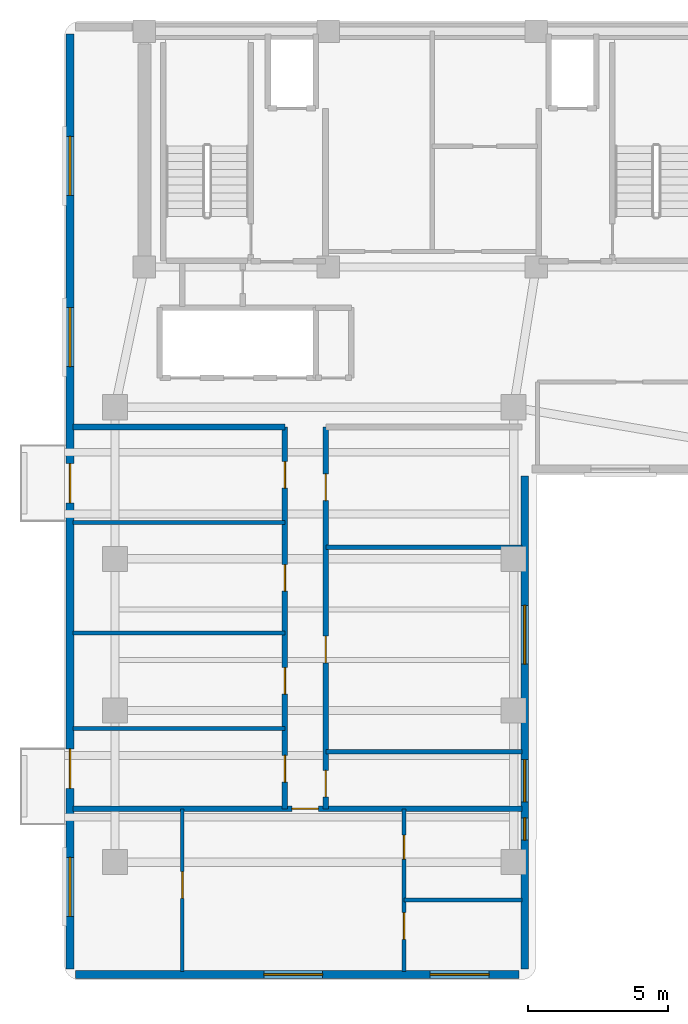
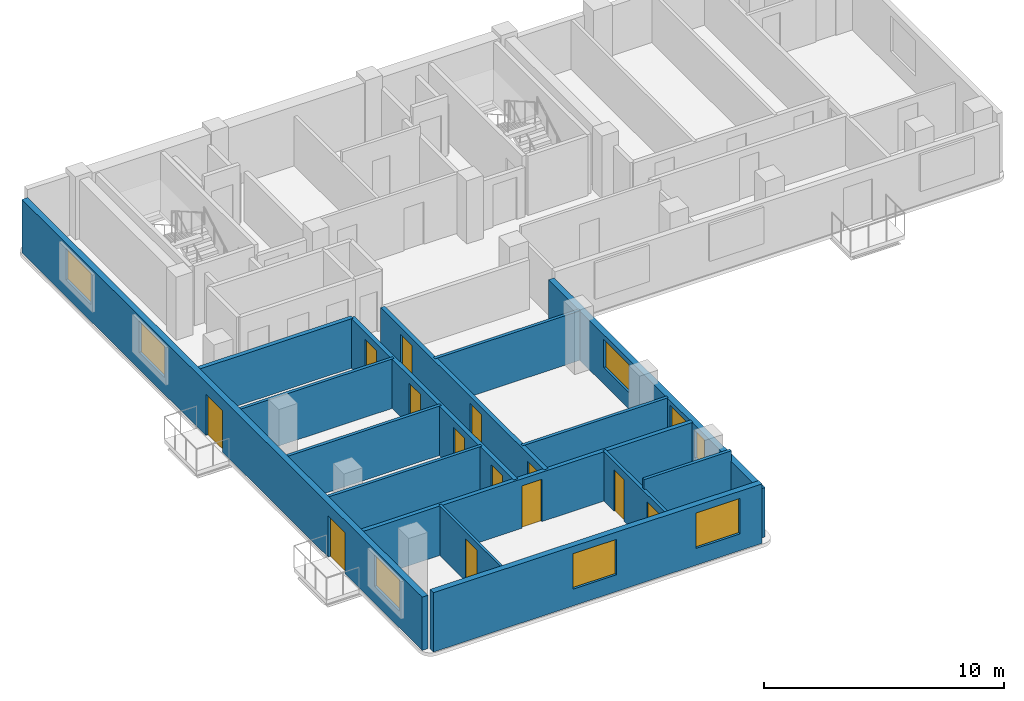
# One storey, part 2 of 7: 15 walls, 13 doors, 8 windows, 21 openings.
"""IFC4 building model written with IfcOpenShell, lengths in metres."""

from ifc_helpers import new_model, si_unit, direction, frame, frame_2d, origin, place, context, subcontext, project, spatial, rectangle, extrude, material, layer, layer_set, type_object, element, fill, save


model = new_model("IFC4")

# Units and contexts
model_context = context("Model", 3, precision=1e-05, world=origin(), true_north=direction((0.0, 1.0)))
body_context = subcontext(model_context, "Body", "Model", "MODEL_VIEW")
ifc_project = project(units=[si_unit("LENGTHUNIT", "METRE"), si_unit("AREAUNIT", "SQUARE_METRE"), si_unit("VOLUMEUNIT", "CUBIC_METRE"), si_unit("PLANEANGLEUNIT", "RADIAN"), si_unit("MASSUNIT", "GRAM", prefix="KILO")], contexts=[model_context])

# Site, building, storey
site_placement = place(None, origin())
site = spatial("IfcSite", under=ifc_project, at=site_placement, CompositionType="ELEMENT")
building_placement = place(site_placement, origin())
building = spatial("IfcBuilding", under=site, at=building_placement, Name="Kuzgunbayir Cultural Tower", CompositionType="ELEMENT")
storey_placement = place(building_placement, frame((0.0, 0.0, 198.39990234375)))
storey = spatial("IfcBuildingStorey", under=building, at=storey_placement, Name="L58", CompositionType="ELEMENT", Elevation=198.39990234375)

# Wall, openings, windows
ifc_material_1 = material(Name="Anatolian Cream Limestone", Category="masonry")
ifc_layer_1 = layer(ifc_material_1, 0.280029296875)
ifc_layer_set_1 = layer_set([ifc_layer_1], Name="Anatolian Cream Limestone")
wall_type_1 = type_object("IfcWallType", Name="WAL-EXT-STONE-280", PredefinedType="STANDARD", material=ifc_layer_set_1)
wall_1_placement = place(storey_placement, frame((4.0, 8.60009765625, 0.0), z_axis=(0.0, 0.0, 1.0), x_axis=(1.0, 0.0, 0.0)))
wall_1 = element("IfcWall", 1, at=wall_1_placement, inside=storey, type_object=wall_type_1, Name="L58 Wing A South Limestone Wall", PredefinedType="STANDARD", context=body_context, shape_type="SweptSolid", body=[
    extrude(rectangle(XDim=15.800048828125, YDim=0.280029296875, at=frame_2d((7.89990234375, 0.0))), origin(), (0.0, 0.0, 1.0), 3.02001953125),
])
opening_1_placement = place(wall_1_placement, frame((6.699951171875, 0.0, 0.85009765625)))
opening_1 = element("IfcOpeningElement", 2, at=opening_1_placement, cuts=wall_1, Name="Opening WR-21", PredefinedType="OPENING", context=body_context, shape_type="SweptSolid", body=[
    extrude(rectangle(XDim=2.10009765625, YDim=1.800048828125, at=frame_2d((1.050048828125, 0.89990234375))), frame((0.0, 0.14990234375, 0.0), z_axis=(0.0, -1.0, 0.0), x_axis=(1.0, 0.0, 0.0)), (0.0, 0.0, 1.0), 0.300048828125),
])
opening_2_placement = place(wall_1_placement, frame((12.6298828125, 0.0, 0.85009765625)))
opening_2 = element("IfcOpeningElement", 3, at=opening_2_placement, cuts=wall_1, Name="Opening WR-21", PredefinedType="OPENING", context=body_context, shape_type="SweptSolid", body=[
    extrude(rectangle(XDim=2.10009765625, YDim=1.800048828125, at=frame_2d((1.050048828125, 0.89990234375))), frame((0.0, 0.14990234375, 0.0), z_axis=(0.0, -1.0, 0.0), x_axis=(1.0, 0.0, 0.0)), (0.0, 0.0, 1.0), 0.300048828125),
])
ifc_material_2 = material(Name="Solar-Control Triple Glazing", Category="glass")
window_type_1 = type_object("IfcWindowType", Name="WIN-RESID-21", PartitioningType="SINGLE_PANEL", PredefinedType="WINDOW", material=ifc_material_2)
window_1_placement = place(opening_1_placement, origin())
window_1 = element("IfcWindow", 4, at=window_1_placement, inside=storey, type_object=window_type_1, Name="L58 WAS Facade Window 2", OverallHeight=1.800048828125, OverallWidth=2.10009765625, PartitioningType="SINGLE_PANEL", PredefinedType="WINDOW", context=body_context, shape_type="SweptSolid", body=[
    extrude(rectangle(XDim=2.10009765625, YDim=1.800048828125, at=frame_2d((1.050048828125, 0.89990234375))), frame((0.0, 0.030029296875, 0.0), z_axis=(0.0, -1.0, 0.0), x_axis=(1.0, 0.0, 0.0)), (0.0, 0.0, 1.0), 0.06005859375),
])
fill(opening_1, window_1)
window_2_placement = place(opening_2_placement, origin())
window_2 = element("IfcWindow", 5, at=window_2_placement, inside=storey, type_object=window_type_1, Name="L58 WAS Facade Window 3", OverallHeight=1.800048828125, OverallWidth=2.10009765625, PartitioningType="SINGLE_PANEL", PredefinedType="WINDOW", context=body_context, shape_type="SweptSolid", body=[
    extrude(rectangle(XDim=2.10009765625, YDim=1.800048828125, at=frame_2d((1.050048828125, 0.89990234375))), frame((0.0, 0.030029296875, 0.0), z_axis=(0.0, -1.0, 0.0), x_axis=(1.0, 0.0, 0.0)), (0.0, 0.0, 1.0), 0.06005859375),
])
fill(opening_2, window_2)

# Wall, openings, doors, windows
wall_2_placement = place(storey_placement, frame((3.800048828125, 42.10009765625, 0.0), z_axis=(0.0, 0.0, 1.0), x_axis=(0.0, -1.0, 0.0)))
wall_2 = element("IfcWall", 6, at=wall_2_placement, inside=storey, type_object=wall_type_1, Name="L58 Wing A West Limestone Wall", PredefinedType="STANDARD", context=body_context, shape_type="SweptSolid", body=[
    extrude(rectangle(XDim=33.300048828125, YDim=0.280029296875, at=frame_2d((16.64990234375, 0.0))), origin(), (0.0, 0.0, 1.0), 2.710205078125),
])
opening_3_placement = place(wall_2_placement, frame((25.469970703125, 0.0, 0.0)))
opening_3 = element("IfcOpeningElement", 7, at=opening_3_placement, cuts=wall_2, Name="Opening BD-15", PredefinedType="OPENING", context=body_context, shape_type="SweptSolid", body=[
    extrude(rectangle(XDim=1.39990234375, YDim=2.10009765625, at=frame_2d((0.699951171875, 1.050048828125))), frame((0.0, 0.14990234375, 0.0), z_axis=(0.0, -1.0, 0.0), x_axis=(1.0, 0.0, 0.0)), (0.0, 0.0, 1.0), 0.300048828125),
])
opening_4_placement = place(wall_2_placement, frame((15.300048828125, 0.0, 0.0)))
opening_4 = element("IfcOpeningElement", 8, at=opening_4_placement, cuts=wall_2, Name="Opening BD-15", PredefinedType="OPENING", context=body_context, shape_type="SweptSolid", body=[
    extrude(rectangle(XDim=1.39990234375, YDim=2.10009765625, at=frame_2d((0.699951171875, 1.050048828125))), frame((0.0, 0.14990234375, 0.0), z_axis=(0.0, -1.0, 0.0), x_axis=(1.0, 0.0, 0.0)), (0.0, 0.0, 1.0), 0.300048828125),
])
opening_5_placement = place(wall_2_placement, frame((29.330078125, 0.0, 0.85009765625)))
opening_5 = element("IfcOpeningElement", 9, at=opening_5_placement, cuts=wall_2, Name="Opening WR-21", PredefinedType="OPENING", context=body_context, shape_type="SweptSolid", body=[
    extrude(rectangle(XDim=2.10009765625, YDim=1.610107421875, at=frame_2d((1.050048828125, 0.80517578125))), frame((0.0, 0.14990234375, 0.0), z_axis=(0.0, -1.0, 0.0), x_axis=(1.0, 0.0, 0.0)), (0.0, 0.0, 1.0), 0.300048828125),
])
opening_6_placement = place(wall_2_placement, frame((9.75, 0.0, 0.85009765625)))
opening_6 = element("IfcOpeningElement", 10, at=opening_6_placement, cuts=wall_2, Name="Opening WR-21", PredefinedType="OPENING", context=body_context, shape_type="SweptSolid", body=[
    extrude(rectangle(XDim=2.10009765625, YDim=1.610107421875, at=frame_2d((1.050048828125, 0.80517578125))), frame((0.0, 0.14990234375, 0.0), z_axis=(0.0, -1.0, 0.0), x_axis=(1.0, 0.0, 0.0)), (0.0, 0.0, 1.0), 0.300048828125),
])
opening_7_placement = place(wall_2_placement, frame((3.64990234375, 0.0, 0.85009765625)))
opening_7 = element("IfcOpeningElement", 11, at=opening_7_placement, cuts=wall_2, Name="Opening WR-21", PredefinedType="OPENING", context=body_context, shape_type="SweptSolid", body=[
    extrude(rectangle(XDim=2.10009765625, YDim=1.610107421875, at=frame_2d((1.050048828125, 0.80517578125))), frame((0.0, 0.14990234375, 0.0), z_axis=(0.0, -1.0, 0.0), x_axis=(1.0, 0.0, 0.0)), (0.0, 0.0, 1.0), 0.300048828125),
])
ifc_material_3 = material(Name="Thermally Broken Glazed Aluminium", Category="aluminium")
door_type_1 = type_object("IfcDoorType", Name="DR-BALCONY-150", OperationType="SLIDING_TO_RIGHT", PredefinedType="DOOR", material=ifc_material_3)
door_1_placement = place(opening_3_placement, origin())
door_1 = element("IfcDoor", 12, at=door_1_placement, inside=storey, type_object=door_type_1, Name="L58 West Balcony Sliding Door BAL-L58-WA1", OperationType="SLIDING_TO_RIGHT", OverallHeight=2.10009765625, OverallWidth=1.39990234375, PredefinedType="DOOR", context=body_context, shape_type="SweptSolid", body=[
    extrude(rectangle(XDim=1.39990234375, YDim=2.10009765625, at=frame_2d((0.699951171875, 1.050048828125))), frame((0.0, 0.02490234375, 0.0), z_axis=(0.0, -1.0, 0.0), x_axis=(1.0, 0.0, 0.0)), (0.0, 0.0, 1.0), 0.050048828125),
])
fill(opening_3, door_1)
door_2_placement = place(opening_4_placement, origin())
door_2 = element("IfcDoor", 13, at=door_2_placement, inside=storey, type_object=door_type_1, Name="L58 West Balcony Sliding Door BAL-L58-WA3", OperationType="SLIDING_TO_RIGHT", OverallHeight=2.10009765625, OverallWidth=1.39990234375, PredefinedType="DOOR", context=body_context, shape_type="SweptSolid", body=[
    extrude(rectangle(XDim=1.39990234375, YDim=2.10009765625, at=frame_2d((0.699951171875, 1.050048828125))), frame((0.0, 0.02490234375, 0.0), z_axis=(0.0, -1.0, 0.0), x_axis=(1.0, 0.0, 0.0)), (0.0, 0.0, 1.0), 0.050048828125),
])
fill(opening_4, door_2)
window_3_placement = place(opening_5_placement, origin())
window_3 = element("IfcWindow", 14, at=window_3_placement, inside=storey, type_object=window_type_1, Name="L58 WAW Facade Window 1", OverallHeight=1.610107421875, OverallWidth=2.10009765625, PartitioningType="SINGLE_PANEL", PredefinedType="WINDOW", context=body_context, shape_type="SweptSolid", body=[
    extrude(rectangle(XDim=2.10009765625, YDim=1.610107421875, at=frame_2d((1.050048828125, 0.80517578125))), frame((0.0, 0.030029296875, 0.0), z_axis=(0.0, -1.0, 0.0), x_axis=(1.0, 0.0, 0.0)), (0.0, 0.0, 1.0), 0.06005859375),
])
fill(opening_5, window_3)
window_4_placement = place(opening_6_placement, origin())
window_4 = element("IfcWindow", 15, at=window_4_placement, inside=storey, type_object=window_type_1, Name="L58 WAW Facade Window 9", OverallHeight=1.610107421875, OverallWidth=2.10009765625, PartitioningType="SINGLE_PANEL", PredefinedType="WINDOW", context=body_context, shape_type="SweptSolid", body=[
    extrude(rectangle(XDim=2.10009765625, YDim=1.610107421875, at=frame_2d((1.050048828125, 0.80517578125))), frame((0.0, 0.030029296875, 0.0), z_axis=(0.0, -1.0, 0.0), x_axis=(1.0, 0.0, 0.0)), (0.0, 0.0, 1.0), 0.06005859375),
])
fill(opening_6, window_4)
window_5_placement = place(opening_7_placement, origin())
window_5 = element("IfcWindow", 16, at=window_5_placement, inside=storey, type_object=window_type_1, Name="L58 WAW Facade Window 10", OverallHeight=1.610107421875, OverallWidth=2.10009765625, PartitioningType="SINGLE_PANEL", PredefinedType="WINDOW", context=body_context, shape_type="SweptSolid", body=[
    extrude(rectangle(XDim=2.10009765625, YDim=1.610107421875, at=frame_2d((1.050048828125, 0.80517578125))), frame((0.0, 0.030029296875, 0.0), z_axis=(0.0, -1.0, 0.0), x_axis=(1.0, 0.0, 0.0)), (0.0, 0.0, 1.0), 0.06005859375),
])
fill(opening_7, window_5)

# Wall, openings, windows
wall_3_placement = place(storey_placement, frame((20.0, 8.800048828125, 0.0), z_axis=(0.0, 0.0, 1.0), x_axis=(0.0, 1.0, 0.0)))
wall_3 = element("IfcWall", 17, at=wall_3_placement, inside=storey, type_object=wall_type_1, Name="L58 Wing A East Limestone Wall", PredefinedType="STANDARD", context=body_context, shape_type="SweptSolid", body=[
    extrude(rectangle(XDim=17.550048828125, YDim=0.280029296875, at=frame_2d((8.77490234375, 0.0))), origin(), (0.0, 0.0, 1.0), 2.510009765625),
])
opening_8_placement = place(wall_3_placement, frame((4.580078125, 0.0, 0.85009765625)))
opening_8 = element("IfcOpeningElement", 18, at=opening_8_placement, cuts=wall_3, Name="Opening WN-08", PredefinedType="OPENING", context=body_context, shape_type="SweptSolid", body=[
    extrude(rectangle(XDim=0.800048828125, YDim=1.409912109375, at=frame_2d((0.39990234375, 0.705078125))), frame((0.0, 0.14990234375, 0.0), z_axis=(0.0, -1.0, 0.0), x_axis=(1.0, 0.0, 0.0)), (0.0, 0.0, 1.0), 0.300048828125),
])
opening_9_placement = place(wall_3_placement, frame((5.949951171875, 0.0, 0.85009765625)))
opening_9 = element("IfcOpeningElement", 19, at=opening_9_placement, cuts=wall_3, Name="Opening WR-15", PredefinedType="OPENING", context=body_context, shape_type="SweptSolid", body=[
    extrude(rectangle(XDim=1.5, YDim=1.409912109375, at=frame_2d((0.75, 0.705078125))), frame((0.0, 0.14990234375, 0.0), z_axis=(0.0, -1.0, 0.0), x_axis=(1.0, 0.0, 0.0)), (0.0, 0.0, 1.0), 0.300048828125),
])
opening_10_placement = place(wall_3_placement, frame((10.85009765625, 0.0, 0.85009765625)))
opening_10 = element("IfcOpeningElement", 20, at=opening_10_placement, cuts=wall_3, Name="Opening WR-21", PredefinedType="OPENING", context=body_context, shape_type="SweptSolid", body=[
    extrude(rectangle(XDim=2.10009765625, YDim=1.409912109375, at=frame_2d((1.050048828125, 0.705078125))), frame((0.0, 0.14990234375, 0.0), z_axis=(0.0, -1.0, 0.0), x_axis=(1.0, 0.0, 0.0)), (0.0, 0.0, 1.0), 0.300048828125),
])
window_type_2 = type_object("IfcWindowType", Name="WIN-NARROW-80", PartitioningType="SINGLE_PANEL", PredefinedType="WINDOW", material=ifc_material_2)
window_6_placement = place(opening_8_placement, origin())
window_6 = element("IfcWindow", 21, at=window_6_placement, inside=storey, type_object=window_type_2, Name="L58 WAE Facade Window 4", OverallHeight=1.409912109375, OverallWidth=0.800048828125, PartitioningType="SINGLE_PANEL", PredefinedType="WINDOW", context=body_context, shape_type="SweptSolid", body=[
    extrude(rectangle(XDim=0.800048828125, YDim=1.409912109375, at=frame_2d((0.39990234375, 0.705078125))), frame((0.0, 0.030029296875, 0.0), z_axis=(0.0, -1.0, 0.0), x_axis=(1.0, 0.0, 0.0)), (0.0, 0.0, 1.0), 0.06005859375),
])
fill(opening_8, window_6)
window_type_3 = type_object("IfcWindowType", Name="WIN-RESID-15", PartitioningType="SINGLE_PANEL", PredefinedType="WINDOW", material=ifc_material_2)
window_7_placement = place(opening_9_placement, origin())
window_7 = element("IfcWindow", 22, at=window_7_placement, inside=storey, type_object=window_type_3, Name="L58 WAE Facade Window 11", OverallHeight=1.409912109375, OverallWidth=1.5, PartitioningType="SINGLE_PANEL", PredefinedType="WINDOW", context=body_context, shape_type="SweptSolid", body=[
    extrude(rectangle(XDim=1.5, YDim=1.409912109375, at=frame_2d((0.75, 0.705078125))), frame((0.0, 0.030029296875, 0.0), z_axis=(0.0, -1.0, 0.0), x_axis=(1.0, 0.0, 0.0)), (0.0, 0.0, 1.0), 0.06005859375),
])
fill(opening_9, window_7)
window_8_placement = place(opening_10_placement, origin())
window_8 = element("IfcWindow", 23, at=window_8_placement, inside=storey, type_object=window_type_1, Name="L58 WAE Facade Window 12", OverallHeight=1.409912109375, OverallWidth=2.10009765625, PartitioningType="SINGLE_PANEL", PredefinedType="WINDOW", context=body_context, shape_type="SweptSolid", body=[
    extrude(rectangle(XDim=2.10009765625, YDim=1.409912109375, at=frame_2d((1.050048828125, 0.705078125))), frame((0.0, 0.030029296875, 0.0), z_axis=(0.0, -1.0, 0.0), x_axis=(1.0, 0.0, 0.0)), (0.0, 0.0, 1.0), 0.06005859375),
])
fill(opening_10, window_8)

# Walls
ifc_material_4 = material(Name="Acoustic Double-Stud Drywall", Category="gypsum")
ifc_layer_2 = layer(ifc_material_4, 0.14990234375)
ifc_layer_set_2 = layer_set([ifc_layer_2], Name="Acoustic Double-Stud Drywall")
wall_type_2 = type_object("IfcWallType", Name="WAL-PART-ACOUSTIC-150", PredefinedType="PARTITIONING", material=ifc_layer_set_2)
for number, where, z_axis, x_axis, name in (
    (24, (3.89990234375, 17.360107421875, 0.0), (0.0, 0.0, 1.0), (1.0, 0.0, 0.0), "L58 West Study Partition 1"),
    (25, (3.89990234375, 20.760009765625, 0.0), (0.0, 0.0, 1.0), (1.0, 0.0, 0.0), "L58 West Study Partition 2"),
    (26, (3.89990234375, 24.699951171875, 0.0), (0.0, 0.0, 1.0), (1.0, 0.0, 0.0), "L58 West Study Partition 3"),
):
    element("IfcWall", number, at=place(storey_placement, frame(where, z_axis=z_axis, x_axis=x_axis)), inside=storey, type_object=wall_type_2, Name=name, PredefinedType="PARTITIONING", context=body_context, shape_type="SweptSolid", body=[
        extrude(rectangle(XDim=7.550048828125, YDim=0.14990234375, at=frame_2d((3.77490234375, 0.0))), origin(), (0.0, 0.0, 1.0), 2.510009765625),
    ])
wall_4_placement = place(storey_placement, frame((12.909912109375, 23.820068359375, 0.0), z_axis=(0.0, 0.0, 1.0), x_axis=(1.0, 0.0, 0.0)))
element("IfcWall", 27, at=wall_4_placement, inside=storey, type_object=wall_type_2, Name="L58 East Divider 1", PredefinedType="PARTITIONING", context=body_context, shape_type="SweptSolid", body=[
    extrude(rectangle(XDim=6.989990234375, YDim=0.14990234375, at=frame_2d((3.4951171875, 0.0))), origin(), (0.0, 0.0, 1.0), 2.510009765625),
])

# Wall, openings, doors
ifc_material_5 = material(Name="Aerated Concrete Blockwork", Category="masonry")
ifc_layer_3 = layer(ifc_material_5, 0.199951171875)
ifc_layer_set_3 = layer_set([ifc_layer_3], Name="Aerated Concrete Blockwork")
wall_type_3 = type_object("IfcWallType", Name="WAL-PART-FIRE-200", PredefinedType="PARTITIONING", material=ifc_layer_set_3)
wall_5_placement = place(storey_placement, frame((11.449951171875, 14.5, 0.0), z_axis=(0.0, 0.0, 1.0), x_axis=(0.0, 1.0, 0.0)))
wall_5 = element("IfcWall", 28, at=wall_5_placement, inside=storey, type_object=wall_type_3, Name="L58 Wing A West Corridor Wall", PredefinedType="PARTITIONING", context=body_context, shape_type="SweptSolid", body=[
    extrude(rectangle(XDim=13.60009765625, YDim=0.199951171875, at=frame_2d((6.800048828125, 0.0))), origin(), (0.0, 0.0, 1.0), 2.510009765625),
])
opening_11_placement = place(wall_5_placement, frame((0.949951171875, 0.0, 0.0)))
opening_11 = element("IfcOpeningElement", 29, at=opening_11_placement, cuts=wall_5, Name="Opening DI-90", PredefinedType="OPENING", context=body_context, shape_type="SweptSolid", body=[
    extrude(rectangle(XDim=0.949951171875, YDim=2.14990234375, at=frame_2d((0.47509765625, 1.074951171875))), frame((0.0, 0.10986328125, 0.0), z_axis=(0.0, -1.0, 0.0), x_axis=(1.0, 0.0, 0.0)), (0.0, 0.0, 1.0), 0.219970703125),
])
opening_12_placement = place(wall_5_placement, frame((4.080078125, 0.0, 0.0)))
opening_12 = element("IfcOpeningElement", 30, at=opening_12_placement, cuts=wall_5, Name="Opening DI-90", PredefinedType="OPENING", context=body_context, shape_type="SweptSolid", body=[
    extrude(rectangle(XDim=0.949951171875, YDim=2.14990234375, at=frame_2d((0.47509765625, 1.074951171875))), frame((0.0, 0.10986328125, 0.0), z_axis=(0.0, -1.0, 0.0), x_axis=(1.0, 0.0, 0.0)), (0.0, 0.0, 1.0), 0.219970703125),
])
opening_13_placement = place(wall_5_placement, frame((7.75, 0.0, 0.0)))
opening_13 = element("IfcOpeningElement", 31, at=opening_13_placement, cuts=wall_5, Name="Opening DI-90", PredefinedType="OPENING", context=body_context, shape_type="SweptSolid", body=[
    extrude(rectangle(XDim=0.949951171875, YDim=2.14990234375, at=frame_2d((0.47509765625, 1.074951171875))), frame((0.0, 0.10986328125, 0.0), z_axis=(0.0, -1.0, 0.0), x_axis=(1.0, 0.0, 0.0)), (0.0, 0.0, 1.0), 0.219970703125),
])
opening_14_placement = place(wall_5_placement, frame((11.419921875, 0.0, 0.0)))
opening_14 = element("IfcOpeningElement", 32, at=opening_14_placement, cuts=wall_5, Name="Opening DI-90", PredefinedType="OPENING", context=body_context, shape_type="SweptSolid", body=[
    extrude(rectangle(XDim=0.949951171875, YDim=2.14990234375, at=frame_2d((0.47509765625, 1.074951171875))), frame((0.0, 0.10986328125, 0.0), z_axis=(0.0, -1.0, 0.0), x_axis=(1.0, 0.0, 0.0)), (0.0, 0.0, 1.0), 0.219970703125),
])
ifc_material_6 = material(Name="Veneered Oak Single Leaf", Category="wood")
door_type_2 = type_object("IfcDoorType", Name="DR-INT-90", OperationType="NOTDEFINED", PredefinedType="DOOR", material=ifc_material_6)
door_3_placement = place(opening_11_placement, origin())
door_3 = element("IfcDoor", 33, at=door_3_placement, inside=storey, type_object=door_type_2, Name="L58 Culinary Tasting Pantry W1 Door", OperationType="SINGLE_SWING_LEFT", OverallHeight=2.14990234375, OverallWidth=0.949951171875, PredefinedType="DOOR", context=body_context, shape_type="SweptSolid", body=[
    extrude(rectangle(XDim=0.949951171875, YDim=2.14990234375, at=frame_2d((0.47509765625, 1.074951171875))), frame((0.0, 0.02490234375, 0.0), z_axis=(0.0, -1.0, 0.0), x_axis=(1.0, 0.0, 0.0)), (0.0, 0.0, 1.0), 0.050048828125),
])
fill(opening_11, door_3)
door_4_placement = place(opening_12_placement, origin())
door_4 = element("IfcDoor", 34, at=door_4_placement, inside=storey, type_object=door_type_2, Name="L58 Culinary Tasting Pantry W2 Door", OperationType="SINGLE_SWING_RIGHT", OverallHeight=2.14990234375, OverallWidth=0.949951171875, PredefinedType="DOOR", context=body_context, shape_type="SweptSolid", body=[
    extrude(rectangle(XDim=0.949951171875, YDim=2.14990234375, at=frame_2d((0.47509765625, 1.074951171875))), frame((0.0, 0.02490234375, 0.0), z_axis=(0.0, -1.0, 0.0), x_axis=(1.0, 0.0, 0.0)), (0.0, 0.0, 1.0), 0.050048828125),
])
fill(opening_12, door_4)
door_5_placement = place(opening_13_placement, origin())
door_5 = element("IfcDoor", 35, at=door_5_placement, inside=storey, type_object=door_type_2, Name="L58 Culinary Tasting Pantry W3 Door", OperationType="SINGLE_SWING_LEFT", OverallHeight=2.14990234375, OverallWidth=0.949951171875, PredefinedType="DOOR", context=body_context, shape_type="SweptSolid", body=[
    extrude(rectangle(XDim=0.949951171875, YDim=2.14990234375, at=frame_2d((0.47509765625, 1.074951171875))), frame((0.0, 0.02490234375, 0.0), z_axis=(0.0, -1.0, 0.0), x_axis=(1.0, 0.0, 0.0)), (0.0, 0.0, 1.0), 0.050048828125),
])
fill(opening_13, door_5)
door_6_placement = place(opening_14_placement, origin())
door_6 = element("IfcDoor", 36, at=door_6_placement, inside=storey, type_object=door_type_2, Name="L58 Curatorial Office W4 Door", OperationType="SINGLE_SWING_RIGHT", OverallHeight=2.14990234375, OverallWidth=0.949951171875, PredefinedType="DOOR", context=body_context, shape_type="SweptSolid", body=[
    extrude(rectangle(XDim=0.949951171875, YDim=2.14990234375, at=frame_2d((0.47509765625, 1.074951171875))), frame((0.0, 0.02490234375, 0.0), z_axis=(0.0, -1.0, 0.0), x_axis=(1.0, 0.0, 0.0)), (0.0, 0.0, 1.0), 0.050048828125),
])
fill(opening_14, door_6)

wall_6_placement = place(storey_placement, frame((12.909912109375, 14.5, 0.0), z_axis=(0.0, 0.0, 1.0), x_axis=(0.0, 1.0, 0.0)))
wall_6 = element("IfcWall", 37, at=wall_6_placement, inside=storey, type_object=wall_type_3, Name="L58 Wing A East Corridor Wall", PredefinedType="PARTITIONING", context=body_context, shape_type="SweptSolid", body=[
    extrude(rectangle(XDim=13.60009765625, YDim=0.199951171875, at=frame_2d((6.800048828125, 0.0))), origin(), (0.0, 0.0, 1.0), 2.510009765625),
])
opening_15_placement = place(wall_6_placement, frame((0.419921875, 0.0, 0.0)))
opening_15 = element("IfcOpeningElement", 38, at=opening_15_placement, cuts=wall_6, Name="Opening DW-95", PredefinedType="OPENING", context=body_context, shape_type="SweptSolid", body=[
    extrude(rectangle(XDim=0.949951171875, YDim=2.10009765625, at=frame_2d((0.47509765625, 1.050048828125))), frame((0.0, 0.10986328125, 0.0), z_axis=(0.0, -1.0, 0.0), x_axis=(1.0, 0.0, 0.0)), (0.0, 0.0, 1.0), 0.219970703125),
])
opening_16_placement = place(wall_6_placement, frame((5.199951171875, 0.0, 0.0)))
opening_16 = element("IfcOpeningElement", 39, at=opening_16_placement, cuts=wall_6, Name="Opening DI-90", PredefinedType="OPENING", context=body_context, shape_type="SweptSolid", body=[
    extrude(rectangle(XDim=0.949951171875, YDim=2.14990234375, at=frame_2d((0.47509765625, 1.074951171875))), frame((0.0, 0.10986328125, 0.0), z_axis=(0.0, -1.0, 0.0), x_axis=(1.0, 0.0, 0.0)), (0.0, 0.0, 1.0), 0.219970703125),
])
opening_17_placement = place(wall_6_placement, frame((10.97998046875, 0.0, 0.0)))
opening_17 = element("IfcOpeningElement", 40, at=opening_17_placement, cuts=wall_6, Name="Opening DI-90", PredefinedType="OPENING", context=body_context, shape_type="SweptSolid", body=[
    extrude(rectangle(XDim=0.949951171875, YDim=2.14990234375, at=frame_2d((0.47509765625, 1.074951171875))), frame((0.0, 0.10986328125, 0.0), z_axis=(0.0, -1.0, 0.0), x_axis=(1.0, 0.0, 0.0)), (0.0, 0.0, 1.0), 0.219970703125),
])
door_7_placement = place(opening_16_placement, origin())
door_7 = element("IfcDoor", 41, at=door_7_placement, inside=storey, type_object=door_type_2, Name="L58 East Culinary Tasting Pantry E1 Door", OperationType="SINGLE_SWING_RIGHT", OverallHeight=2.14990234375, OverallWidth=0.949951171875, PredefinedType="DOOR", context=body_context, shape_type="SweptSolid", body=[
    extrude(rectangle(XDim=0.949951171875, YDim=2.14990234375, at=frame_2d((0.47509765625, 1.074951171875))), frame((0.0, 0.02490234375, 0.0), z_axis=(0.0, -1.0, 0.0), x_axis=(1.0, 0.0, 0.0)), (0.0, 0.0, 1.0), 0.050048828125),
])
fill(opening_16, door_7)
door_8_placement = place(opening_17_placement, origin())
door_8 = element("IfcDoor", 42, at=door_8_placement, inside=storey, type_object=door_type_2, Name="L58 East Art Publication Salon E2 Door", OperationType="SINGLE_SWING_LEFT", OverallHeight=2.14990234375, OverallWidth=0.949951171875, PredefinedType="DOOR", context=body_context, shape_type="SweptSolid", body=[
    extrude(rectangle(XDim=0.949951171875, YDim=2.14990234375, at=frame_2d((0.47509765625, 1.074951171875))), frame((0.0, 0.02490234375, 0.0), z_axis=(0.0, -1.0, 0.0), x_axis=(1.0, 0.0, 0.0)), (0.0, 0.0, 1.0), 0.050048828125),
])
fill(opening_17, door_8)
ifc_material_7 = material(Name="Laminate Moisture-Resistant Leaf", Category="wood")
door_type_3 = type_object("IfcDoorType", Name="DR-WET-95", OperationType="NOTDEFINED", PredefinedType="DOOR", material=ifc_material_7)
door_9_placement = place(opening_15_placement, origin())
door_9 = element("IfcDoor", 43, at=door_9_placement, inside=storey, type_object=door_type_3, Name="L58 Visitor Accessible WC Door", OperationType="SINGLE_SWING_LEFT", OverallHeight=2.10009765625, OverallWidth=0.949951171875, PredefinedType="DOOR", context=body_context, shape_type="SweptSolid", body=[
    extrude(rectangle(XDim=0.949951171875, YDim=2.10009765625, at=frame_2d((0.47509765625, 1.050048828125))), frame((0.0, 0.02490234375, 0.0), z_axis=(0.0, -1.0, 0.0), x_axis=(1.0, 0.0, 0.0)), (0.0, 0.0, 1.0), 0.050048828125),
])
fill(opening_15, door_9)

# Wall, opening, door
wall_7_placement = place(storey_placement, frame((3.89990234375, 14.5, 0.0), z_axis=(0.0, 0.0, 1.0), x_axis=(1.0, 0.0, 0.0)))
wall_7 = element("IfcWall", 44, at=wall_7_placement, inside=storey, type_object=wall_type_3, Name="L58 South Cross Partition", PredefinedType="PARTITIONING", context=body_context, shape_type="SweptSolid", body=[
    extrude(rectangle(XDim=16.0, YDim=0.199951171875, at=frame_2d((8.0, 0.0))), origin(), (0.0, 0.0, 1.0), 2.510009765625),
])
opening_18_placement = place(wall_7_placement, frame((7.800048828125, 0.0, 0.0)))
opening_18 = element("IfcOpeningElement", 45, at=opening_18_placement, cuts=wall_7, Name="Opening DR-APT-60", PredefinedType="OPENING", context=body_context, shape_type="SweptSolid", body=[
    extrude(rectangle(XDim=0.949951171875, YDim=2.14990234375, at=frame_2d((0.47509765625, 1.074951171875))), frame((0.0, 0.10986328125, 0.0), z_axis=(0.0, -1.0, 0.0), x_axis=(1.0, 0.0, 0.0)), (0.0, 0.0, 1.0), 0.219970703125),
])
ifc_material_8 = material(Name="Acoustic Fire Timber Leaf", Category="wood")
door_type_4 = type_object("IfcDoorType", Name="DR-APT-60", OperationType="NOTDEFINED", PredefinedType="DOOR", material=ifc_material_8)
door_10_placement = place(opening_18_placement, origin())
door_10 = element("IfcDoor", 46, at=door_10_placement, inside=storey, type_object=door_type_4, Name="L58 Apartment A Entrance", OperationType="SINGLE_SWING_LEFT", OverallHeight=2.14990234375, OverallWidth=0.949951171875, PredefinedType="DOOR", context=body_context, shape_type="SweptSolid", body=[
    extrude(rectangle(XDim=0.949951171875, YDim=2.14990234375, at=frame_2d((0.47509765625, 1.074951171875))), frame((0.0, 0.02490234375, 0.0), z_axis=(0.0, -1.0, 0.0), x_axis=(1.0, 0.0, 0.0)), (0.0, 0.0, 1.0), 0.050048828125),
])
fill(opening_18, door_10)

# Wall
wall_8_placement = place(storey_placement, frame((3.89990234375, 28.10009765625, 0.0), z_axis=(0.0, 0.0, 1.0), x_axis=(1.0, 0.0, 0.0)))
element("IfcWall", 47, at=wall_8_placement, inside=storey, type_object=wall_type_3, Name="L58 North West Partition", PredefinedType="PARTITIONING", context=body_context, shape_type="SweptSolid", body=[
    extrude(rectangle(XDim=7.550048828125, YDim=0.199951171875, at=frame_2d((3.77490234375, 0.0))), origin(), (0.0, 0.0, 1.0), 2.510009765625),
])

# Wall, opening, door
ifc_material_9 = material(Name="Framed Gypsum Partition", Category="gypsum")
ifc_layer_4 = layer(ifc_material_9, 0.1201171875)
ifc_layer_set_4 = layer_set([ifc_layer_4], Name="Framed Gypsum Partition")
wall_type_4 = type_object("IfcWallType", Name="WAL-PART-INT-120", PredefinedType="PARTITIONING", material=ifc_layer_set_4)
wall_9_placement = place(storey_placement, frame((7.800048828125, 8.699951171875, 0.0), z_axis=(0.0, 0.0, 1.0), x_axis=(0.0, 1.0, 0.0)))
wall_9 = element("IfcWall", 48, at=wall_9_placement, inside=storey, type_object=wall_type_4, Name="L58 Flat A West Bedroom Wall", PredefinedType="PARTITIONING", context=body_context, shape_type="SweptSolid", body=[
    extrude(rectangle(XDim=5.800048828125, YDim=0.1201171875, at=frame_2d((2.89990234375, 0.0))), origin(), (0.0, 0.0, 1.0), 2.510009765625),
])
opening_19_placement = place(wall_9_placement, frame((2.610107421875, 0.0, 0.0)))
opening_19 = element("IfcOpeningElement", 49, at=opening_19_placement, cuts=wall_9, Name="Opening DI-90", PredefinedType="OPENING", context=body_context, shape_type="SweptSolid", body=[
    extrude(rectangle(XDim=0.949951171875, YDim=2.14990234375, at=frame_2d((0.47509765625, 1.074951171875))), frame((0.0, 0.070068359375, 0.0), z_axis=(0.0, -1.0, 0.0), x_axis=(1.0, 0.0, 0.0)), (0.0, 0.0, 1.0), 0.14013671875),
])
door_11_placement = place(opening_19_placement, origin())
door_11 = element("IfcDoor", 50, at=door_11_placement, inside=storey, type_object=door_type_2, Name="L58 Apartment A Bedroom Door", OperationType="SINGLE_SWING_RIGHT", OverallHeight=2.14990234375, OverallWidth=0.949951171875, PredefinedType="DOOR", context=body_context, shape_type="SweptSolid", body=[
    extrude(rectangle(XDim=0.949951171875, YDim=2.14990234375, at=frame_2d((0.47509765625, 1.074951171875))), frame((0.0, 0.02490234375, 0.0), z_axis=(0.0, -1.0, 0.0), x_axis=(1.0, 0.0, 0.0)), (0.0, 0.0, 1.0), 0.050048828125),
])
fill(opening_19, door_11)

# Wall, openings, doors
ifc_material_10 = material(Name="Moisture-Resistant Tile Partition", Category="gypsum")
ifc_layer_5 = layer(ifc_material_10, 0.14990234375)
ifc_layer_set_5 = layer_set([ifc_layer_5], Name="Moisture-Resistant Tile Partition")
wall_type_5 = type_object("IfcWallType", Name="WAL-PART-WET-150", PredefinedType="PARTITIONING", material=ifc_layer_set_5)
wall_10_placement = place(storey_placement, frame((15.699951171875, 8.699951171875, 0.0), z_axis=(0.0, 0.0, 1.0), x_axis=(0.0, 1.0, 0.0)))
wall_10 = element("IfcWall", 51, at=wall_10_placement, inside=storey, type_object=wall_type_5, Name="L58 Flat A East Service Wall", PredefinedType="PARTITIONING", context=body_context, shape_type="SweptSolid", body=[
    extrude(rectangle(XDim=5.800048828125, YDim=0.14990234375, at=frame_2d((2.89990234375, 0.0))), origin(), (0.0, 0.0, 1.0), 2.510009765625),
])
opening_20_placement = place(wall_10_placement, frame((1.14990234375, 0.0, 0.0)))
opening_20 = element("IfcOpeningElement", 52, at=opening_20_placement, cuts=wall_10, Name="Opening DI-90", PredefinedType="OPENING", context=body_context, shape_type="SweptSolid", body=[
    extrude(rectangle(XDim=0.949951171875, YDim=2.14990234375, at=frame_2d((0.47509765625, 1.074951171875))), frame((0.0, 0.0849609375, 0.0), z_axis=(0.0, -1.0, 0.0), x_axis=(1.0, 0.0, 0.0)), (0.0, 0.0, 1.0), 0.169921875),
])
opening_21_placement = place(wall_10_placement, frame((4.010009765625, 0.0, 0.0)))
opening_21 = element("IfcOpeningElement", 53, at=opening_21_placement, cuts=wall_10, Name="Opening DW-85", PredefinedType="OPENING", context=body_context, shape_type="SweptSolid", body=[
    extrude(rectangle(XDim=0.85009765625, YDim=2.10009765625, at=frame_2d((0.425048828125, 1.050048828125))), frame((0.0, 0.0849609375, 0.0), z_axis=(0.0, -1.0, 0.0), x_axis=(1.0, 0.0, 0.0)), (0.0, 0.0, 1.0), 0.169921875),
])
door_12_placement = place(opening_20_placement, origin())
door_12 = element("IfcDoor", 54, at=door_12_placement, inside=storey, type_object=door_type_2, Name="L58 Apartment A Kitchen Door", OperationType="SINGLE_SWING_LEFT", OverallHeight=2.14990234375, OverallWidth=0.949951171875, PredefinedType="DOOR", context=body_context, shape_type="SweptSolid", body=[
    extrude(rectangle(XDim=0.949951171875, YDim=2.14990234375, at=frame_2d((0.47509765625, 1.074951171875))), frame((0.0, 0.02490234375, 0.0), z_axis=(0.0, -1.0, 0.0), x_axis=(1.0, 0.0, 0.0)), (0.0, 0.0, 1.0), 0.050048828125),
])
fill(opening_20, door_12)
door_type_5 = type_object("IfcDoorType", Name="DR-WET-85", OperationType="NOTDEFINED", PredefinedType="DOOR", material=ifc_material_7)
door_13_placement = place(opening_21_placement, origin())
door_13 = element("IfcDoor", 55, at=door_13_placement, inside=storey, type_object=door_type_5, Name="L58 Apartment A Bathroom Door", OperationType="SINGLE_SWING_RIGHT", OverallHeight=2.10009765625, OverallWidth=0.85009765625, PredefinedType="DOOR", context=body_context, shape_type="SweptSolid", body=[
    extrude(rectangle(XDim=0.85009765625, YDim=2.10009765625, at=frame_2d((0.425048828125, 1.050048828125))), frame((0.0, 0.02490234375, 0.0), z_axis=(0.0, -1.0, 0.0), x_axis=(1.0, 0.0, 0.0)), (0.0, 0.0, 1.0), 0.050048828125),
])
fill(opening_21, door_13)

# Walls
wall_11_placement = place(storey_placement, frame((15.699951171875, 11.25, 0.0), z_axis=(0.0, 0.0, 1.0), x_axis=(1.0, 0.0, 0.0)))
element("IfcWall", 56, at=wall_11_placement, inside=storey, type_object=wall_type_5, Name="L58 Flat A Bath Kitchen Divider", PredefinedType="PARTITIONING", context=body_context, shape_type="SweptSolid", body=[
    extrude(rectangle(XDim=4.199951171875, YDim=0.14990234375, at=frame_2d((2.10009765625, 0.0))), origin(), (0.0, 0.0, 1.0), 3.02001953125),
])
wall_12_placement = place(storey_placement, frame((12.909912109375, 16.530029296875, 0.0), z_axis=(0.0, 0.0, 1.0), x_axis=(1.0, 0.0, 0.0)))
element("IfcWall", 57, at=wall_12_placement, inside=storey, type_object=wall_type_5, Name="L58 East Accessible WC Wall", PredefinedType="PARTITIONING", context=body_context, shape_type="SweptSolid", body=[
    extrude(rectangle(XDim=6.989990234375, YDim=0.14990234375, at=frame_2d((3.4951171875, 0.0))), origin(), (0.0, 0.0, 1.0), 2.510009765625),
])

save(model, "model.ifc")
